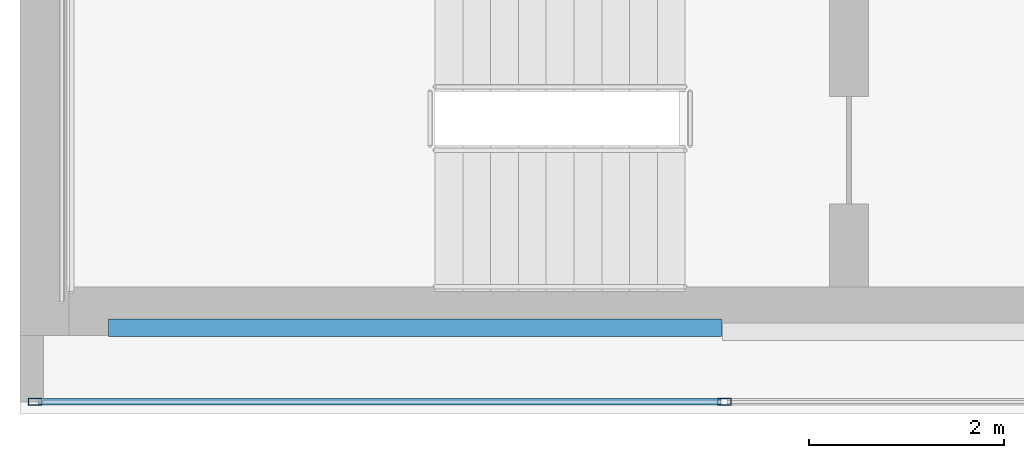
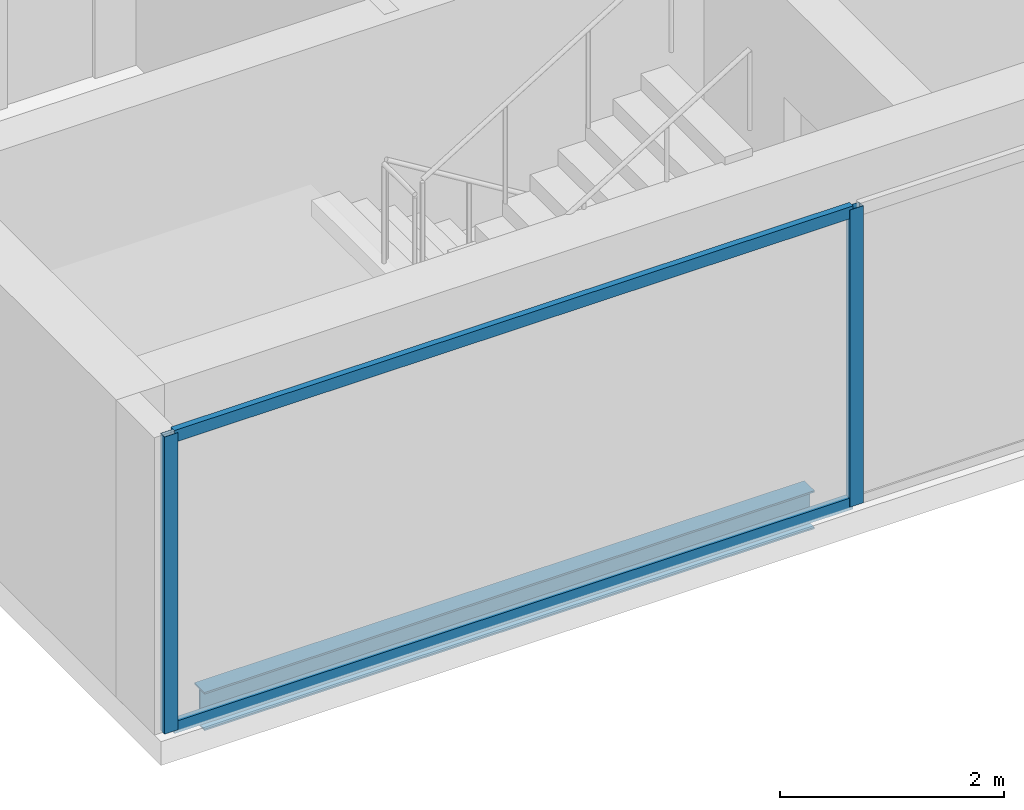
# One storey, part 2 of 24: 4 members, 1 beam, 1 element without a shape of its own.
"""IFC4 building model written with IfcOpenShell, lengths in metres."""

import ifcopenshell
import ifcopenshell.guid

model = None  # the IFC model being written
_history = None  # IfcOwnerHistory: only IFC2X3 demands one
_inside = {}  # id of a spatial element -> (the spatial element, [elements in it])
_under = {}  # id of a project, library or spatial element -> (it, [spatial elements below it])
_declared = {}  # id of a project -> (the project, [libraries it declares])
_typed = {}  # id of a type object -> (the type object, [elements of that type])
_made_of = {}  # id of a material, layer set ... -> (it, [elements and type objects made of it])


def new_model(schema):
    """Start an empty IFC model of exactly this schema.

    Asked for "IFC4X3", IfcOpenShell would pick the latest addendum, in which some entities
    have other attributes; the version numbers below select the first issue.
    IFC2X3 requires an IfcOwnerHistory on every rooted entity: one is made here for all.
    """
    global model, _history
    if schema == "IFC4X3":
        model = ifcopenshell.file(schema_version=(4, 3, 0, 0))
    else:
        model = ifcopenshell.file(schema=schema)
    _inside.clear()
    _under.clear()
    _declared.clear()
    _typed.clear()
    _made_of.clear()
    _history = None
    if model.schema == "IFC2X3":
        org = make("IfcOrganization", Name="unknown")
        user = make(
            "IfcPersonAndOrganization",
            ThePerson=make("IfcPerson", FamilyName="unknown"),
            TheOrganization=org,
        )
        app = make(
            "IfcApplication",
            ApplicationDeveloper=org,
            Version="unknown",
            ApplicationFullName="unknown",
            ApplicationIdentifier="unknown",
        )
        _history = make(
            "IfcOwnerHistory",
            OwningUser=user,
            OwningApplication=app,
            ChangeAction="ADDED",
            CreationDate=0,
        )
    return model


def make(cls, **values):
    """One entity of the class cls with the attributes given. An attribute that is None is left unset."""
    return model.create_entity(
        cls, **{name: value for name, value in values.items() if value is not None}
    )


def rooted(cls, **values):
    """An entity with a GlobalId (a new one), such as an element, a storey or a relation."""
    return make(cls, GlobalId=ifcopenshell.guid.new(), OwnerHistory=_history, **values)


def si_unit(unit_type, name, prefix=None):
    """IfcSIUnit, for example si_unit("LENGTHUNIT", "METRE", prefix="MILLI")."""
    return make("IfcSIUnit", UnitType=unit_type, Prefix=prefix, Name=name)


def assignment(units):
    """IfcUnitAssignment: the units of a project."""
    return None if units is None else make("IfcUnitAssignment", Units=units)


def point(xyz):
    """IfcCartesianPoint."""
    return None if xyz is None else make("IfcCartesianPoint", Coordinates=xyz)


def direction(xyz):
    """IfcDirection."""
    return None if xyz is None else make("IfcDirection", DirectionRatios=xyz)


def frame(location, z_axis=None, x_axis=None):
    """IfcAxis2Placement3D, a coordinate frame: its origin and axes. An axis left out is left unset."""
    return make(
        "IfcAxis2Placement3D",
        Location=point(location),
        Axis=direction(z_axis),
        RefDirection=direction(x_axis),
    )


def frame_2d(location, x_axis=None):
    """IfcAxis2Placement2D, a coordinate frame in the plane: its origin and x axis."""
    return make(
        "IfcAxis2Placement2D", Location=point(location), RefDirection=direction(x_axis)
    )


def origin():
    """The frame at (0, 0, 0) with its axes left unset."""
    return frame((0.0, 0.0, 0.0))


def origin_2d():
    """The frame at (0, 0) in the plane with its x axis left unset."""
    return frame_2d((0.0, 0.0))


def place(relative_to, where):
    """IfcLocalPlacement: puts the frame where relative to a parent placement (None: the world)."""
    return make(
        "IfcLocalPlacement", PlacementRelTo=relative_to, RelativePlacement=where
    )


def context(
    kind, dimensions, precision=None, world=None, true_north=None, identifier=None
):
    """IfcGeometricRepresentationContext, for example the 3D "Model" context."""
    return make(
        "IfcGeometricRepresentationContext",
        ContextIdentifier=identifier,
        ContextType=kind,
        CoordinateSpaceDimension=dimensions,
        Precision=precision,
        WorldCoordinateSystem=world,
        TrueNorth=true_north,
    )


def subcontext(parent, identifier, kind, view, scale=None):
    """IfcGeometricRepresentationSubContext, for example "Body" below "Model"."""
    return make(
        "IfcGeometricRepresentationSubContext",
        ContextIdentifier=identifier,
        ContextType=kind,
        ParentContext=parent,
        TargetScale=scale,
        TargetView=view,
    )


def project(units=None, contexts=None):
    """IfcProject with its units and contexts."""
    return rooted(
        "IfcProject",
        Name="project",
        RepresentationContexts=contexts,
        UnitsInContext=assignment(units),
    )


def spatial(cls, under=None, at=None, **own):
    """A site, building, storey or space (cls), placed at a placement, below another one or the project."""
    s = rooted(cls, ObjectPlacement=at, **own)
    if under is not None:
        _under.setdefault(under.id(), (under, []))[1].append(s)
    return s


def profile(cls, at=None, kind="AREA", **sizes):
    """A parametric profile (cls). Its sizes go by their IFC names, for example OverallWidth=200.0."""
    return make(cls, ProfileType=kind, Position=at, **sizes)


def hollow_rectangle(**sizes):
    """IfcRectangleHollowProfileDef."""
    return profile("IfcRectangleHollowProfileDef", **sizes)


def i_section(**sizes):
    """IfcIShapeProfileDef."""
    return profile("IfcIShapeProfileDef", **sizes)


def extrude(swept, where, along, depth):
    """IfcExtrudedAreaSolid: the profile swept, set in the frame where, extruded along a direction by depth."""
    return make(
        "IfcExtrudedAreaSolid",
        SweptArea=swept,
        Position=where,
        ExtrudedDirection=direction(along),
        Depth=depth,
    )


def shape(context_of_items, identifier, shape_type, items):
    """IfcShapeRepresentation: the items that make up one representation, for example the "Body"."""
    return make(
        "IfcShapeRepresentation",
        ContextOfItems=context_of_items,
        RepresentationIdentifier=identifier,
        RepresentationType=shape_type,
        Items=items,
    )


def material(Name=None, Category=None):
    """IfcMaterial."""
    return make("IfcMaterial", Name=Name, Category=Category)


def material_profile(
    of_material, cross_section, Name=None, Category=None, Priority=None
):
    """IfcMaterialProfile: a cross section and its material."""
    return make(
        "IfcMaterialProfile",
        Name=Name,
        Material=of_material,
        Profile=cross_section,
        Priority=Priority,
        Category=Category,
    )


def profile_set(profiles, Name=None, composite=None):
    """IfcMaterialProfileSet."""
    return make(
        "IfcMaterialProfileSet",
        Name=Name,
        MaterialProfiles=profiles,
        CompositeProfile=composite,
    )


def made_of(thing, what):
    """Note that an element or type object is made of a material, layer set ...; save() writes the relation."""
    if what is not None:
        _made_of.setdefault(what.id(), (what, []))[1].append(thing)
    return thing


def type_object(cls, material=None, **own):
    """A type object (cls), such as IfcWallType, which elements share."""
    return made_of(rooted(cls, **own), material)


def element(
    cls,
    number,
    at=None,
    inside=None,
    cuts=None,
    type_object=None,
    material=None,
    context=None,
    identifier="Body",
    shape_type=None,
    held_by="IfcProductDefinitionShape",
    body=None,
    shapes=None,
    **own,
):
    """One element of the class cls, such as IfcWall. Its Tag is "e" and its number.

    at: its placement. inside: the storey or other place that contains it. cuts: it is an
    opening in that element (IfcRelVoidsElement). A single representation is given by context,
    identifier, shape_type and body (its items); several are given by shapes. held_by: the class
    of the entity that holds the representations. save() writes the other relations.
    """
    e = rooted(cls, Tag="e%d" % number, ObjectPlacement=at, **own)
    if body is not None:
        shapes = [shape(context, identifier, shape_type, body)]
    if shapes is not None:
        e.Representation = make(held_by, Representations=shapes)
    if inside is not None:
        _inside.setdefault(inside.id(), (inside, []))[1].append(e)
    if cuts is not None:
        rooted(
            "IfcRelVoidsElement", RelatingBuildingElement=cuts, RelatedOpeningElement=e
        )
    if type_object is not None:
        _typed.setdefault(type_object.id(), (type_object, []))[1].append(e)
    return made_of(e, material)


def aggregate(whole, parts):
    """IfcRelAggregates: a whole, such as a stair, and the parts it consists of."""
    return rooted("IfcRelAggregates", RelatingObject=whole, RelatedObjects=parts)


def save(model, path):
    """Write the relations noted so far, then the file.

    IfcRelAggregates (storeys below a building ...), IfcRelContainedInSpatialStructure (elements
    in a storey), IfcRelDefinesByType, IfcRelAssociatesMaterial and IfcRelDeclares: one each for
    every whole, place, type object, material and project.
    """
    for whole, parts in _under.values():
        aggregate(whole, parts)
    for where, things in _inside.values():
        rooted(
            "IfcRelContainedInSpatialStructure",
            RelatedElements=things,
            RelatingStructure=where,
        )
    for kind, things in _typed.values():
        rooted("IfcRelDefinesByType", RelatedObjects=things, RelatingType=kind)
    for what, things in _made_of.values():
        rooted("IfcRelAssociatesMaterial", RelatedObjects=things, RelatingMaterial=what)
    for by, libraries in _declared.values():
        rooted("IfcRelDeclares", RelatingContext=by, RelatedDefinitions=libraries)
    model.write(path)


model = new_model("IFC4")

# Units and contexts
model_context = context("Model", 3, precision=1e-05, world=origin(), true_north=direction((0.0, 1.0)))
body_context = subcontext(model_context, "Body", "Model", "MODEL_VIEW")
ifc_project = project(units=[si_unit("LENGTHUNIT", "METRE"), si_unit("AREAUNIT", "SQUARE_METRE"), si_unit("VOLUMEUNIT", "CUBIC_METRE"), si_unit("PLANEANGLEUNIT", "RADIAN"), si_unit("MASSUNIT", "GRAM", prefix="KILO")], contexts=[model_context])

# Site, building, storey
site_placement = place(None, origin())
site = spatial("IfcSite", under=ifc_project, at=site_placement, CompositionType="ELEMENT")
building_placement = place(site_placement, origin())
building = spatial("IfcBuilding", under=site, at=building_placement, Name="Cobrela Telecom Tower", CompositionType="ELEMENT")
storey_placement = place(building_placement, frame((0.0, 0.0, 248.14990234375)))
storey = spatial("IfcBuildingStorey", under=building, at=storey_placement, Name="L64", CompositionType="ELEMENT", Elevation=248.14990234375)

# Beam
ifc_material_1 = material(Name="Steel ASTM A992 Grade 50", Category="steel")
ifc_material_profile_1 = material_profile(ifc_material_1, i_section(OverallWidth=0.179931640625, OverallDepth=0.4169921875, WebThickness=0.010986328125, FlangeThickness=0.01806640625, FilletRadius=0.011962890625, at=origin_2d()), Name="W16X57")
ifc_profile_set_1 = profile_set([ifc_material_profile_1], Name="Steel ASTM A992 Grade 50")
beam_type = type_object("IfcBeamType", Name="BM-SPAND-06", PredefinedType="SPANDREL", material=ifc_profile_set_1)
beam_placement = place(storey_placement, frame((0.905029296875, 7.280029296875, -0.468505859375), z_axis=(1.0, 0.0, 0.0), x_axis=(0.0, 1.0, 0.0)))
element("IfcBeam", 1, at=beam_placement, inside=storey, type_object=beam_type, Name="L64 Perimeter Spandrel X01", PredefinedType="SPANDREL", context=body_context, shape_type="SweptSolid", body=[
    extrude(i_section(OverallWidth=0.179931640625, OverallDepth=0.4169921875, WebThickness=0.010986328125, FlangeThickness=0.01806640625, FilletRadius=0.011962890625, at=origin_2d()), origin(), (0.0, 0.0, 1.0), 6.2900390625),
])

# Curtain wall, members
ifc_material_2 = material(Name="Anodized Bronze Aluminium 6063-T6", Category="aluminium")
curtain_wall_type = type_object("IfcCurtainWallType", Name="CW-SYS-OFF-HI", PredefinedType="USERDEFINED", material=ifc_material_2)
curtain_wall_placement = place(storey_placement, origin())
curtain_wall = element("IfcCurtainWall", 2, at=curtain_wall_placement, inside=storey, type_object=curtain_wall_type, Name="L64 Unitised Bronze Curtain Wall 15", ObjectType="UNITISED CURTAIN WALL", PredefinedType="USERDEFINED")
ifc_material_profile_2 = material_profile(ifc_material_2, hollow_rectangle(XDim=0.070068359375, YDim=0.139892578125, WallThickness=0.00390625, at=origin_2d()), Name="ALU 70x140x4")
ifc_profile_set_2 = profile_set([ifc_material_profile_2], Name="Anodized Bronze Aluminium 6063-T6")
member_type_1 = type_object("IfcMemberType", Name="CW-SYS-OFF-HI-MUL", PredefinedType="MULLION", material=ifc_profile_set_2)
member_1_placement = place(storey_placement, frame((7.2216796875, 6.52001953125, 0.0), z_axis=(0.0, 0.0, 1.0), x_axis=(0.0, -1.0, 0.0)))
member_1 = element("IfcMember", 3, at=member_1_placement, type_object=member_type_1, Name="CW-OFF-HI mullion 6", PredefinedType="MULLION", context=body_context, shape_type="SweptSolid", body=[
    extrude(hollow_rectangle(XDim=0.070068359375, YDim=0.139892578125, WallThickness=0.00390625, at=origin_2d()), origin(), (0.0, 0.0, 1.0), 3.239990234375),
])
member_2_placement = place(storey_placement, frame((0.155029296875, 6.52001953125, 0.0), z_axis=(0.0, 0.0, 1.0), x_axis=(0.0, -1.0, 0.0)))
member_2 = element("IfcMember", 4, at=member_2_placement, type_object=member_type_1, Name="CW-OFF-HI mullion 7", PredefinedType="MULLION", context=body_context, shape_type="SweptSolid", body=[
    extrude(hollow_rectangle(XDim=0.070068359375, YDim=0.139892578125, WallThickness=0.00390625, at=origin_2d()), origin(), (0.0, 0.0, 1.0), 3.239990234375),
])
ifc_material_profile_3 = material_profile(ifc_material_2, hollow_rectangle(XDim=0.06494140625, YDim=0.1298828125, WallThickness=0.00390625, at=origin_2d()), Name="ALU 65x130x4")
ifc_profile_set_3 = profile_set([ifc_material_profile_3], Name="Anodized Bronze Aluminium 6063-T6")
member_type_2 = type_object("IfcMemberType", Name="CW-SYS-OFF-HI-TRN", PredefinedType="USERDEFINED", material=ifc_profile_set_3)
member_3_placement = place(storey_placement, frame((7.186767578125, 6.52001953125, 0.03271484375), z_axis=(-1.0, 0.0, 0.0), x_axis=(0.0, -1.0, 0.0)))
member_3 = element("IfcMember", 5, at=member_3_placement, type_object=member_type_2, Name="CW-OFF-HI transom 6.1", ObjectType="TRANSOM", PredefinedType="USERDEFINED", context=body_context, shape_type="SweptSolid", body=[
    extrude(hollow_rectangle(XDim=0.06494140625, YDim=0.1298828125, WallThickness=0.00390625, at=origin_2d()), origin(), (0.0, 0.0, 1.0), 6.996826171875),
])
member_4_placement = place(storey_placement, frame((7.186767578125, 6.52001953125, 3.20751953125), z_axis=(-1.0, 0.0, 0.0), x_axis=(0.0, -1.0, 0.0)))
member_4 = element("IfcMember", 6, at=member_4_placement, type_object=member_type_2, Name="CW-OFF-HI transom 6.2", ObjectType="TRANSOM", PredefinedType="USERDEFINED", context=body_context, shape_type="SweptSolid", body=[
    extrude(hollow_rectangle(XDim=0.06494140625, YDim=0.1298828125, WallThickness=0.00390625, at=origin_2d()), origin(), (0.0, 0.0, 1.0), 6.996826171875),
])
aggregate(curtain_wall, [member_1, member_2, member_3, member_4])

save(model, "model.ifc")
